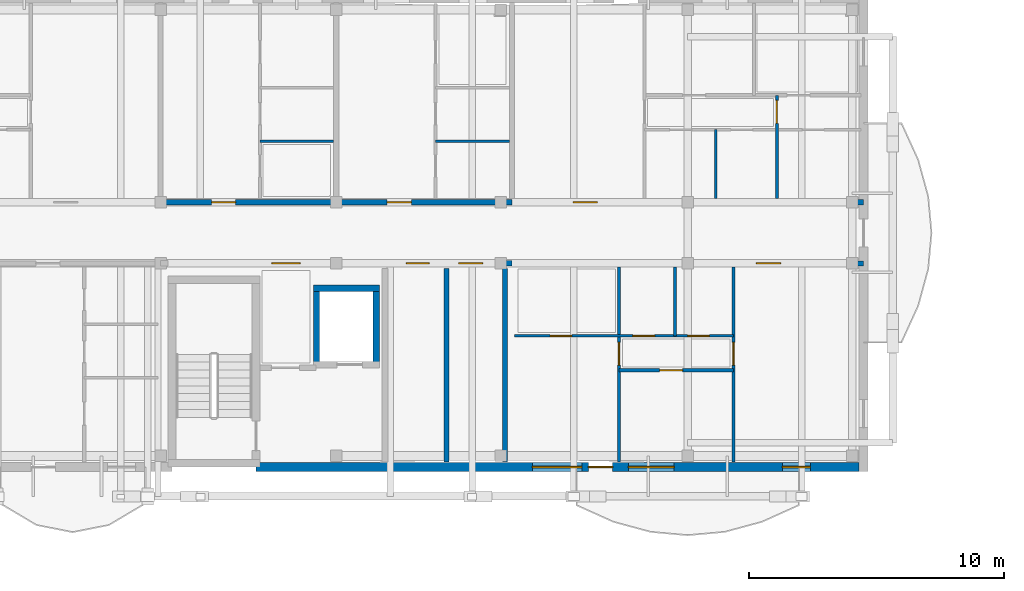
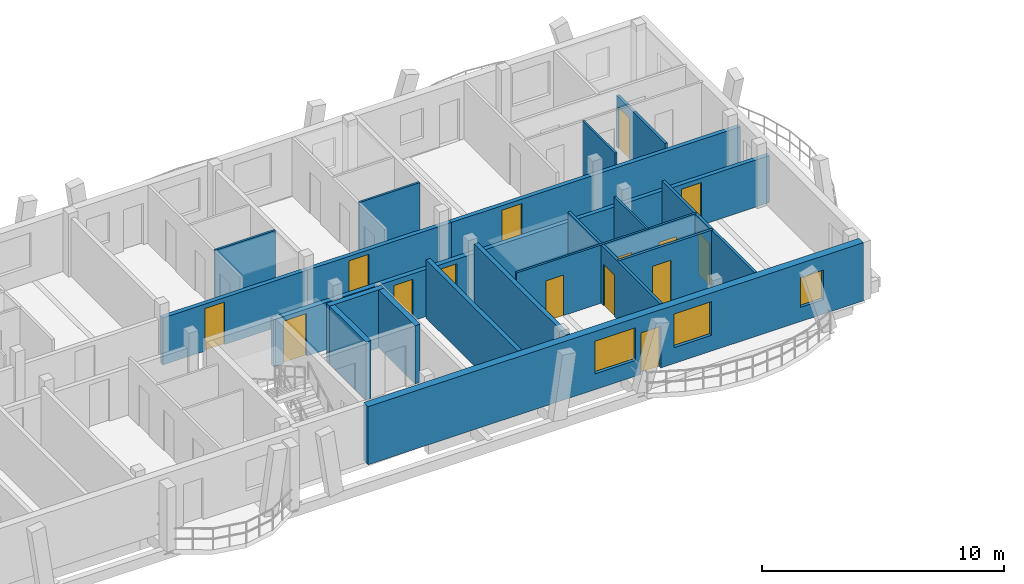
# One storey, part 27 of 52: 20 walls, 15 doors, 3 windows, 18 openings.
"""IFC4 building model written with IfcOpenShell, lengths in metres."""

import ifcopenshell
import ifcopenshell.guid

model = None  # the IFC model being written
_history = None  # IfcOwnerHistory: only IFC2X3 demands one
_inside = {}  # id of a spatial element -> (the spatial element, [elements in it])
_under = {}  # id of a project, library or spatial element -> (it, [spatial elements below it])
_declared = {}  # id of a project -> (the project, [libraries it declares])
_typed = {}  # id of a type object -> (the type object, [elements of that type])
_made_of = {}  # id of a material, layer set ... -> (it, [elements and type objects made of it])


def new_model(schema):
    """Start an empty IFC model of exactly this schema.

    Asked for "IFC4X3", IfcOpenShell would pick the latest addendum, in which some entities
    have other attributes; the version numbers below select the first issue.
    IFC2X3 requires an IfcOwnerHistory on every rooted entity: one is made here for all.
    """
    global model, _history
    if schema == "IFC4X3":
        model = ifcopenshell.file(schema_version=(4, 3, 0, 0))
    else:
        model = ifcopenshell.file(schema=schema)
    _inside.clear()
    _under.clear()
    _declared.clear()
    _typed.clear()
    _made_of.clear()
    _history = None
    if model.schema == "IFC2X3":
        org = make("IfcOrganization", Name="unknown")
        user = make(
            "IfcPersonAndOrganization",
            ThePerson=make("IfcPerson", FamilyName="unknown"),
            TheOrganization=org,
        )
        app = make(
            "IfcApplication",
            ApplicationDeveloper=org,
            Version="unknown",
            ApplicationFullName="unknown",
            ApplicationIdentifier="unknown",
        )
        _history = make(
            "IfcOwnerHistory",
            OwningUser=user,
            OwningApplication=app,
            ChangeAction="ADDED",
            CreationDate=0,
        )
    return model


def make(cls, **values):
    """One entity of the class cls with the attributes given. An attribute that is None is left unset."""
    return model.create_entity(
        cls, **{name: value for name, value in values.items() if value is not None}
    )


def rooted(cls, **values):
    """An entity with a GlobalId (a new one), such as an element, a storey or a relation."""
    return make(cls, GlobalId=ifcopenshell.guid.new(), OwnerHistory=_history, **values)


def si_unit(unit_type, name, prefix=None):
    """IfcSIUnit, for example si_unit("LENGTHUNIT", "METRE", prefix="MILLI")."""
    return make("IfcSIUnit", UnitType=unit_type, Prefix=prefix, Name=name)


def assignment(units):
    """IfcUnitAssignment: the units of a project."""
    return None if units is None else make("IfcUnitAssignment", Units=units)


def point(xyz):
    """IfcCartesianPoint."""
    return None if xyz is None else make("IfcCartesianPoint", Coordinates=xyz)


def direction(xyz):
    """IfcDirection."""
    return None if xyz is None else make("IfcDirection", DirectionRatios=xyz)


def frame(location, z_axis=None, x_axis=None):
    """IfcAxis2Placement3D, a coordinate frame: its origin and axes. An axis left out is left unset."""
    return make(
        "IfcAxis2Placement3D",
        Location=point(location),
        Axis=direction(z_axis),
        RefDirection=direction(x_axis),
    )


def frame_2d(location, x_axis=None):
    """IfcAxis2Placement2D, a coordinate frame in the plane: its origin and x axis."""
    return make(
        "IfcAxis2Placement2D", Location=point(location), RefDirection=direction(x_axis)
    )


def origin():
    """The frame at (0, 0, 0) with its axes left unset."""
    return frame((0.0, 0.0, 0.0))


def origin_with_axes():
    """The frame at (0, 0, 0) with the z axis (0, 0, 1) and the x axis (1, 0, 0) written out."""
    return frame((0.0, 0.0, 0.0), z_axis=(0.0, 0.0, 1.0), x_axis=(1.0, 0.0, 0.0))


def place(relative_to, where):
    """IfcLocalPlacement: puts the frame where relative to a parent placement (None: the world)."""
    return make(
        "IfcLocalPlacement", PlacementRelTo=relative_to, RelativePlacement=where
    )


def context(
    kind, dimensions, precision=None, world=None, true_north=None, identifier=None
):
    """IfcGeometricRepresentationContext, for example the 3D "Model" context."""
    return make(
        "IfcGeometricRepresentationContext",
        ContextIdentifier=identifier,
        ContextType=kind,
        CoordinateSpaceDimension=dimensions,
        Precision=precision,
        WorldCoordinateSystem=world,
        TrueNorth=true_north,
    )


def subcontext(parent, identifier, kind, view, scale=None):
    """IfcGeometricRepresentationSubContext, for example "Body" below "Model"."""
    return make(
        "IfcGeometricRepresentationSubContext",
        ContextIdentifier=identifier,
        ContextType=kind,
        ParentContext=parent,
        TargetScale=scale,
        TargetView=view,
    )


def project(units=None, contexts=None):
    """IfcProject with its units and contexts."""
    return rooted(
        "IfcProject",
        Name="project",
        RepresentationContexts=contexts,
        UnitsInContext=assignment(units),
    )


def spatial(cls, under=None, at=None, **own):
    """A site, building, storey or space (cls), placed at a placement, below another one or the project."""
    s = rooted(cls, ObjectPlacement=at, **own)
    if under is not None:
        _under.setdefault(under.id(), (under, []))[1].append(s)
    return s


def profile(cls, at=None, kind="AREA", **sizes):
    """A parametric profile (cls). Its sizes go by their IFC names, for example OverallWidth=200.0."""
    return make(cls, ProfileType=kind, Position=at, **sizes)


def rectangle(**sizes):
    """IfcRectangleProfileDef."""
    return profile("IfcRectangleProfileDef", **sizes)


def extrude(swept, where, along, depth):
    """IfcExtrudedAreaSolid: the profile swept, set in the frame where, extruded along a direction by depth."""
    return make(
        "IfcExtrudedAreaSolid",
        SweptArea=swept,
        Position=where,
        ExtrudedDirection=direction(along),
        Depth=depth,
    )


def shape(context_of_items, identifier, shape_type, items):
    """IfcShapeRepresentation: the items that make up one representation, for example the "Body"."""
    return make(
        "IfcShapeRepresentation",
        ContextOfItems=context_of_items,
        RepresentationIdentifier=identifier,
        RepresentationType=shape_type,
        Items=items,
    )


def material(Name=None, Category=None):
    """IfcMaterial."""
    return make("IfcMaterial", Name=Name, Category=Category)


def layer(
    of_material, thickness, ventilated=None, Name=None, Category=None, Priority=None
):
    """IfcMaterialLayer: one layer of a wall or slab, of a material (None: an air gap)."""
    return make(
        "IfcMaterialLayer",
        Material=of_material,
        LayerThickness=thickness,
        IsVentilated=ventilated,
        Name=Name,
        Category=Category,
        Priority=Priority,
    )


def layer_set(layers, Name=None):
    """IfcMaterialLayerSet."""
    return make("IfcMaterialLayerSet", MaterialLayers=layers, LayerSetName=Name)


def made_of(thing, what):
    """Note that an element or type object is made of a material, layer set ...; save() writes the relation."""
    if what is not None:
        _made_of.setdefault(what.id(), (what, []))[1].append(thing)
    return thing


def type_object(cls, material=None, **own):
    """A type object (cls), such as IfcWallType, which elements share."""
    return made_of(rooted(cls, **own), material)


def element(
    cls,
    number,
    at=None,
    inside=None,
    cuts=None,
    type_object=None,
    material=None,
    context=None,
    identifier="Body",
    shape_type=None,
    held_by="IfcProductDefinitionShape",
    body=None,
    shapes=None,
    **own,
):
    """One element of the class cls, such as IfcWall. Its Tag is "e" and its number.

    at: its placement. inside: the storey or other place that contains it. cuts: it is an
    opening in that element (IfcRelVoidsElement). A single representation is given by context,
    identifier, shape_type and body (its items); several are given by shapes. held_by: the class
    of the entity that holds the representations. save() writes the other relations.
    """
    e = rooted(cls, Tag="e%d" % number, ObjectPlacement=at, **own)
    if body is not None:
        shapes = [shape(context, identifier, shape_type, body)]
    if shapes is not None:
        e.Representation = make(held_by, Representations=shapes)
    if inside is not None:
        _inside.setdefault(inside.id(), (inside, []))[1].append(e)
    if cuts is not None:
        rooted(
            "IfcRelVoidsElement", RelatingBuildingElement=cuts, RelatedOpeningElement=e
        )
    if type_object is not None:
        _typed.setdefault(type_object.id(), (type_object, []))[1].append(e)
    return made_of(e, material)


def fill(opening, filler):
    """IfcRelFillsElement: the door or window that sits in an opening."""
    return rooted(
        "IfcRelFillsElement",
        RelatingOpeningElement=opening,
        RelatedBuildingElement=filler,
    )


def aggregate(whole, parts):
    """IfcRelAggregates: a whole, such as a stair, and the parts it consists of."""
    return rooted("IfcRelAggregates", RelatingObject=whole, RelatedObjects=parts)


def save(model, path):
    """Write the relations noted so far, then the file.

    IfcRelAggregates (storeys below a building ...), IfcRelContainedInSpatialStructure (elements
    in a storey), IfcRelDefinesByType, IfcRelAssociatesMaterial and IfcRelDeclares: one each for
    every whole, place, type object, material and project.
    """
    for whole, parts in _under.values():
        aggregate(whole, parts)
    for where, things in _inside.values():
        rooted(
            "IfcRelContainedInSpatialStructure",
            RelatedElements=things,
            RelatingStructure=where,
        )
    for kind, things in _typed.values():
        rooted("IfcRelDefinesByType", RelatedObjects=things, RelatingType=kind)
    for what, things in _made_of.values():
        rooted("IfcRelAssociatesMaterial", RelatedObjects=things, RelatingMaterial=what)
    for by, libraries in _declared.values():
        rooted("IfcRelDeclares", RelatingContext=by, RelatedDefinitions=libraries)
    model.write(path)


model = new_model("IFC4")

# Units and contexts
model_context = context("Model", 3, precision=1e-05, world=origin(), true_north=direction((0.0, 1.0)))
body_context = subcontext(model_context, "Body", "Model", "MODEL_VIEW")
ifc_project = project(units=[si_unit("LENGTHUNIT", "METRE"), si_unit("AREAUNIT", "SQUARE_METRE"), si_unit("VOLUMEUNIT", "CUBIC_METRE"), si_unit("PLANEANGLEUNIT", "RADIAN"), si_unit("MASSUNIT", "GRAM", prefix="KILO")], contexts=[model_context])

# Site, building, storey
site_placement = place(None, origin())
site = spatial("IfcSite", under=ifc_project, at=site_placement, CompositionType="ELEMENT")
building_placement = place(site_placement, origin())
building = spatial("IfcBuilding", under=site, at=building_placement, Name="Zavelmont Quarter", CompositionType="ELEMENT")
storey_placement = place(building_placement, frame((0.0, 0.0, 14.39990234375)))
storey = spatial("IfcBuildingStorey", under=building, at=storey_placement, Name="L04", CompositionType="ELEMENT", Elevation=14.39990234375)

# Wall, openings, door, windows
ifc_material_1 = material(Name="Natural Belgian limestone", Category="masonry")
ifc_layer_1 = layer(ifc_material_1, 0.360107421875)
ifc_layer_set_1 = layer_set([ifc_layer_1], Name="Natural Belgian limestone")
wall_type_1 = type_object("IfcWallType", Name="EW02", PredefinedType="STANDARD", material=ifc_layer_set_1)
wall_1_placement = place(storey_placement, frame((31.35009765625, 97.60009765625, 0.0), z_axis=(0.0, 0.0, 1.0), x_axis=(1.0, 0.0, 0.0)))
wall_1 = element("IfcWall", 1, at=wall_1_placement, inside=storey, type_object=wall_type_1, Name="L04 exterior limestone wall EW02", PredefinedType="STANDARD", context=body_context, shape_type="SweptSolid", body=[
    extrude(rectangle(XDim=23.679931640625, YDim=0.360107421875, at=frame_2d((11.83984375, 0.0))), origin(), (0.0, 0.0, 1.0), 2.940185546875),
])
opening_1_placement = place(wall_1_placement, frame((13.048095703125, 0.0, 0.0)))
opening_1 = element("IfcOpeningElement", 2, at=opening_1_placement, cuts=wall_1, Name="Opening DR04", PredefinedType="OPENING", context=body_context, shape_type="SweptSolid", body=[
    extrude(rectangle(XDim=0.949951171875, YDim=2.10009765625, at=frame_2d((0.47509765625, 1.050048828125))), frame((0.0, 0.19189453125, 0.0), z_axis=(0.0, -1.0, 0.0), x_axis=(1.0, 0.0, 0.0)), (0.0, 0.0, 1.0), 0.384033203125),
])
opening_2_placement = place(wall_1_placement, frame((10.844970703125, 0.0, 0.800048828125)))
opening_2 = element("IfcOpeningElement", 3, at=opening_2_placement, cuts=wall_1, Name="Opening WN24", PredefinedType="OPENING", context=body_context, shape_type="SweptSolid", body=[
    extrude(rectangle(XDim=1.949951171875, YDim=1.64990234375, at=frame_2d((0.97509765625, 0.824951171875))), frame((0.0, 0.19189453125, 0.0), z_axis=(0.0, -1.0, 0.0), x_axis=(1.0, 0.0, 0.0)), (0.0, 0.0, 1.0), 0.384033203125),
])
opening_3_placement = place(wall_1_placement, frame((14.6201171875, 0.0, 0.800048828125)))
opening_3 = element("IfcOpeningElement", 4, at=opening_3_placement, cuts=wall_1, Name="Opening WN02", PredefinedType="OPENING", context=body_context, shape_type="SweptSolid", body=[
    extrude(rectangle(XDim=1.800048828125, YDim=1.699951171875, at=frame_2d((0.89990234375, 0.85009765625))), frame((0.0, 0.19189453125, 0.0), z_axis=(0.0, -1.0, 0.0), x_axis=(1.0, 0.0, 0.0)), (0.0, 0.0, 1.0), 0.384033203125),
])
opening_4_placement = place(wall_1_placement, frame((20.669921875, 0.0, 0.719970703125)))
opening_4 = element("IfcOpeningElement", 5, at=opening_4_placement, cuts=wall_1, Name="Opening WN09", PredefinedType="OPENING", context=body_context, shape_type="SweptSolid", body=[
    extrude(rectangle(XDim=1.10009765625, YDim=1.5, at=frame_2d((0.550048828125, 0.75))), frame((0.0, 0.19189453125, 0.0), z_axis=(0.0, -1.0, 0.0), x_axis=(1.0, 0.0, 0.0)), (0.0, 0.0, 1.0), 0.384033203125),
])
ifc_material_2 = material(Name="Thermally broken aluminium and double safety glass", Category="aluminium")
door_type_1 = type_object("IfcDoorType", Name="DR04", OperationType="NOTDEFINED", PredefinedType="DOOR", material=ifc_material_2)
door_1_placement = place(opening_1_placement, origin_with_axes())
door_1 = element("IfcDoor", 6, at=door_1_placement, inside=storey, type_object=door_type_1, Name="Block B L04 glazed balcony door", OperationType="SINGLE_SWING_RIGHT", OverallHeight=2.10009765625, OverallWidth=0.949951171875, PredefinedType="DOOR", context=body_context, shape_type="SweptSolid", body=[
    extrude(rectangle(XDim=0.949951171875, YDim=2.10009765625, at=frame_2d((0.47509765625, 1.050048828125))), frame((0.0, 0.02490234375, 0.0), z_axis=(0.0, -1.0, 0.0), x_axis=(1.0, 0.0, 0.0)), (0.0, 0.0, 1.0), 0.050048828125),
])
fill(opening_1, door_1)
ifc_material_3 = material(Name="Double low-E insulated glazing in thermally broken aluminium frame", Category="aluminium")
window_type_1 = type_object("IfcWindowType", Name="WN02", PartitioningType="SINGLE_PANEL", PredefinedType="WINDOW", material=ifc_material_3)
window_1_placement = place(opening_3_placement, origin_with_axes())
window_1 = element("IfcWindow", 7, at=window_1_placement, inside=storey, type_object=window_type_1, Name="L04 window WN02", OverallHeight=1.699951171875, OverallWidth=1.800048828125, PartitioningType="SINGLE_PANEL", PredefinedType="WINDOW", context=body_context, shape_type="SweptSolid", body=[
    extrude(rectangle(XDim=1.800048828125, YDim=1.699951171875, at=frame_2d((0.89990234375, 0.85009765625))), frame((0.0, 0.030029296875, 0.0), z_axis=(0.0, -1.0, 0.0), x_axis=(1.0, 0.0, 0.0)), (0.0, 0.0, 1.0), 0.06005859375),
])
fill(opening_3, window_1)
window_type_2 = type_object("IfcWindowType", Name="WN09", PartitioningType="SINGLE_PANEL", PredefinedType="WINDOW", material=ifc_material_3)
window_2_placement = place(opening_4_placement, origin_with_axes())
window_2 = element("IfcWindow", 8, at=window_2_placement, inside=storey, type_object=window_type_2, Name="L04 window WN09", OverallHeight=1.5, OverallWidth=1.10009765625, PartitioningType="SINGLE_PANEL", PredefinedType="WINDOW", context=body_context, shape_type="SweptSolid", body=[
    extrude(rectangle(XDim=1.10009765625, YDim=1.5, at=frame_2d((0.550048828125, 0.75))), frame((0.0, 0.030029296875, 0.0), z_axis=(0.0, -1.0, 0.0), x_axis=(1.0, 0.0, 0.0)), (0.0, 0.0, 1.0), 0.06005859375),
])
fill(opening_4, window_2)
window_type_3 = type_object("IfcWindowType", Name="WN24", PartitioningType="SINGLE_PANEL", PredefinedType="WINDOW", material=ifc_material_3)
window_3_placement = place(opening_2_placement, origin_with_axes())
window_3 = element("IfcWindow", 9, at=window_3_placement, inside=storey, type_object=window_type_3, Name="L04 window WN24", OverallHeight=1.64990234375, OverallWidth=1.949951171875, PartitioningType="SINGLE_PANEL", PredefinedType="WINDOW", context=body_context, shape_type="SweptSolid", body=[
    extrude(rectangle(XDim=1.949951171875, YDim=1.64990234375, at=frame_2d((0.97509765625, 0.824951171875))), frame((0.0, 0.030029296875, 0.0), z_axis=(0.0, -1.0, 0.0), x_axis=(1.0, 0.0, 0.0)), (0.0, 0.0, 1.0), 0.06005859375),
])
fill(opening_2, window_3)

# Walls
ifc_material_4 = material(Name="Calcium-silicate blockwork and acoustic plaster", Category="masonry")
ifc_layer_2 = layer(ifc_material_4, 0.199951171875)
ifc_layer_set_2 = layer_set([ifc_layer_2], Name="Calcium-silicate blockwork and acoustic plaster")
wall_type_2 = type_object("IfcWallType", Name="IW01", PredefinedType="PARTITIONING", material=ifc_layer_set_2)
for number, where, z_axis, x_axis, name in (
    (10, (38.824951171875, 97.800048828125, 0.0), (0.0, 0.0, 1.0), (0.0, 1.0, 0.0), "L04 Service riser divider wall IW01"),
    (11, (41.1201171875, 97.800048828125, 0.0), (0.0, 0.0, 1.0), (0.0, 1.0, 0.0), "L04 Core service end wall IW01"),
):
    element("IfcWall", number, at=place(storey_placement, frame(where, z_axis=z_axis, x_axis=x_axis)), inside=storey, type_object=wall_type_2, Name=name, PredefinedType="PARTITIONING", context=body_context, shape_type="SweptSolid", body=[
        extrude(rectangle(XDim=7.599853515625, YDim=0.199951171875, at=frame_2d((3.7998046875, 0.0))), origin(), (0.0, 0.0, 1.0), 2.940185546875),
    ])

# Wall, opening, door
wall_2_placement = place(storey_placement, frame((27.60009765625, 108.0, 0.0), z_axis=(0.0, 0.0, 1.0), x_axis=(1.0, 0.0, 0.0)))
wall_2 = element("IfcWall", 12, at=wall_2_placement, inside=storey, type_object=wall_type_2, Name="L04 Corridor compartment wall IW01", PredefinedType="PARTITIONING", context=body_context, shape_type="SweptSolid", body=[
    extrude(rectangle(XDim=6.89990234375, YDim=0.199951171875, at=frame_2d((3.449951171875, 0.0))), origin(), (0.0, 0.0, 1.0), 2.380126953125),
])
opening_5_placement = place(wall_2_placement, frame((2.0, 0.0, 0.0)))
opening_5 = element("IfcOpeningElement", 13, at=opening_5_placement, cuts=wall_2, Name="Opening DR02", PredefinedType="OPENING", context=body_context, shape_type="SweptSolid", body=[
    extrude(rectangle(XDim=0.949951171875, YDim=2.14990234375, at=frame_2d((0.47509765625, 1.074951171875))), frame((0.0, 0.11181640625, 0.0), z_axis=(0.0, -1.0, 0.0), x_axis=(1.0, 0.0, 0.0)), (0.0, 0.0, 1.0), 0.223876953125),
])
ifc_material_5 = material(Name="Solid-core oak fire leaf in steel frame", Category="steel")
door_type_2 = type_object("IfcDoorType", Name="DR02", OperationType="NOTDEFINED", PredefinedType="DOOR", material=ifc_material_5)
door_2_placement = place(opening_5_placement, origin_with_axes())
door_2 = element("IfcDoor", 14, at=door_2_placement, inside=storey, type_object=door_type_2, Name="L04 door DR02", OperationType="SINGLE_SWING_RIGHT", OverallHeight=2.14990234375, OverallWidth=0.949951171875, PredefinedType="DOOR", context=body_context, shape_type="SweptSolid", body=[
    extrude(rectangle(XDim=0.949951171875, YDim=2.14990234375, at=frame_2d((0.47509765625, 1.074951171875))), frame((0.0, 0.02490234375, 0.0), z_axis=(0.0, -1.0, 0.0), x_axis=(1.0, 0.0, 0.0)), (0.0, 0.0, 1.0), 0.050048828125),
])
fill(opening_5, door_2)

wall_3_placement = place(storey_placement, frame((34.5, 108.0, 0.0), z_axis=(0.0, 0.0, 1.0), x_axis=(1.0, 0.0, 0.0)))
wall_3 = element("IfcWall", 15, at=wall_3_placement, inside=storey, type_object=wall_type_2, Name="L04 Corridor compartment wall IW01", PredefinedType="PARTITIONING", context=body_context, shape_type="SweptSolid", body=[
    extrude(rectangle(XDim=6.89990234375, YDim=0.199951171875, at=frame_2d((3.449951171875, 0.0))), origin(), (0.0, 0.0, 1.0), 2.380126953125),
])
opening_6_placement = place(wall_3_placement, frame((2.0, 0.0, 0.0)))
opening_6 = element("IfcOpeningElement", 16, at=opening_6_placement, cuts=wall_3, Name="Opening DR02", PredefinedType="OPENING", context=body_context, shape_type="SweptSolid", body=[
    extrude(rectangle(XDim=0.949951171875, YDim=2.14990234375, at=frame_2d((0.47509765625, 1.074951171875))), frame((0.0, 0.11181640625, 0.0), z_axis=(0.0, -1.0, 0.0), x_axis=(1.0, 0.0, 0.0)), (0.0, 0.0, 1.0), 0.223876953125),
])
door_3_placement = place(opening_6_placement, origin_with_axes())
door_3 = element("IfcDoor", 17, at=door_3_placement, inside=storey, type_object=door_type_2, Name="L04 door DR02", OperationType="SINGLE_SWING_LEFT", OverallHeight=2.14990234375, OverallWidth=0.949951171875, PredefinedType="DOOR", context=body_context, shape_type="SweptSolid", body=[
    extrude(rectangle(XDim=0.949951171875, YDim=2.14990234375, at=frame_2d((0.47509765625, 1.074951171875))), frame((0.0, 0.02490234375, 0.0), z_axis=(0.0, -1.0, 0.0), x_axis=(1.0, 0.0, 0.0)), (0.0, 0.0, 1.0), 0.050048828125),
])
fill(opening_6, door_3)

wall_4_placement = place(storey_placement, frame((41.39990234375, 108.0, 0.0), z_axis=(0.0, 0.0, 1.0), x_axis=(1.0, 0.0, 0.0)))
wall_4 = element("IfcWall", 18, at=wall_4_placement, inside=storey, type_object=wall_type_2, Name="L04 Corridor compartment wall IW01", PredefinedType="PARTITIONING", context=body_context, shape_type="SweptSolid", body=[
    extrude(rectangle(XDim=13.800048828125, YDim=0.199951171875, at=frame_2d((6.89990234375, 0.0))), origin(), (0.0, 0.0, 1.0), 2.380126953125),
])
opening_7_placement = place(wall_4_placement, frame((2.39990234375, 0.0, 0.0)))
opening_7 = element("IfcOpeningElement", 19, at=opening_7_placement, cuts=wall_4, Name="Opening DR02", PredefinedType="OPENING", context=body_context, shape_type="SweptSolid", body=[
    extrude(rectangle(XDim=0.949951171875, YDim=2.14990234375, at=frame_2d((0.47509765625, 1.074951171875))), frame((0.0, 0.11181640625, 0.0), z_axis=(0.0, -1.0, 0.0), x_axis=(1.0, 0.0, 0.0)), (0.0, 0.0, 1.0), 0.223876953125),
])
door_4_placement = place(opening_7_placement, origin_with_axes())
door_4 = element("IfcDoor", 20, at=door_4_placement, inside=storey, type_object=door_type_2, Name="L04 door DR02", OperationType="SINGLE_SWING_RIGHT", OverallHeight=2.14990234375, OverallWidth=0.949951171875, PredefinedType="DOOR", context=body_context, shape_type="SweptSolid", body=[
    extrude(rectangle(XDim=0.949951171875, YDim=2.14990234375, at=frame_2d((0.47509765625, 1.074951171875))), frame((0.0, 0.02490234375, 0.0), z_axis=(0.0, -1.0, 0.0), x_axis=(1.0, 0.0, 0.0)), (0.0, 0.0, 1.0), 0.050048828125),
])
fill(opening_7, door_4)

wall_5_placement = place(storey_placement, frame((41.39990234375, 105.60009765625, 0.0), z_axis=(0.0, 0.0, 1.0), x_axis=(1.0, 0.0, 0.0)))
wall_5 = element("IfcWall", 21, at=wall_5_placement, inside=storey, type_object=wall_type_2, Name="L04 Corridor compartment wall IW01", PredefinedType="PARTITIONING", context=body_context, shape_type="SweptSolid", body=[
    extrude(rectangle(XDim=13.800048828125, YDim=0.199951171875, at=frame_2d((6.89990234375, 0.0))), origin(), (0.0, 0.0, 1.0), 2.380126953125),
])
opening_8_placement = place(wall_5_placement, frame((9.60009765625, 0.0, 0.0)))
opening_8 = element("IfcOpeningElement", 22, at=opening_8_placement, cuts=wall_5, Name="Opening DR02", PredefinedType="OPENING", context=body_context, shape_type="SweptSolid", body=[
    extrude(rectangle(XDim=0.949951171875, YDim=2.14990234375, at=frame_2d((0.47509765625, 1.074951171875))), frame((0.0, 0.11181640625, 0.0), z_axis=(0.0, -1.0, 0.0), x_axis=(1.0, 0.0, 0.0)), (0.0, 0.0, 1.0), 0.223876953125),
])
door_5_placement = place(opening_8_placement, frame((0.949951171875, 0.0, 0.0), z_axis=(0.0, 0.0, 1.0), x_axis=(-1.0, 0.0, 0.0)))
door_5 = element("IfcDoor", 23, at=door_5_placement, inside=storey, type_object=door_type_2, Name="L04 door DR02", OperationType="SINGLE_SWING_RIGHT", OverallHeight=2.14990234375, OverallWidth=0.949951171875, PredefinedType="DOOR", context=body_context, shape_type="SweptSolid", body=[
    extrude(rectangle(XDim=0.949951171875, YDim=2.14990234375, at=frame_2d((0.47509765625, 1.074951171875))), frame((0.0, 0.02490234375, 0.0), z_axis=(0.0, -1.0, 0.0), x_axis=(1.0, 0.0, 0.0)), (0.0, 0.0, 1.0), 0.050048828125),
])
fill(opening_8, door_5)

# Wall, openings, doors
ifc_material_6 = material(Name="Reinforced masonry fire compartment wall", Category="masonry")
ifc_layer_3 = layer(ifc_material_6, 0.22509765625)
ifc_layer_set_3 = layer_set([ifc_layer_3], Name="Reinforced masonry fire compartment wall")
wall_type_3 = type_object("IfcWallType", Name="IW02", PredefinedType="PARTITIONING", material=ifc_layer_set_3)
wall_6_placement = place(storey_placement, frame((31.5, 105.60009765625, 0.0), z_axis=(0.0, 0.0, 1.0), x_axis=(1.0, 0.0, 0.0)))
wall_6 = element("IfcWall", 24, at=wall_6_placement, inside=storey, type_object=wall_type_3, Name="L04 Core corridor fire wall IW02", PredefinedType="PARTITIONING", context=body_context, shape_type="SweptSolid", body=[
    extrude(rectangle(XDim=9.89990234375, YDim=0.22509765625, at=frame_2d((4.949951171875, 0.0))), origin(), (0.0, 0.0, 1.0), 2.380126953125),
])
opening_9_placement = place(wall_6_placement, frame((0.47509765625, 0.0, 0.0)))
opening_9 = element("IfcOpeningElement", 25, at=opening_9_placement, cuts=wall_6, Name="Opening DR10", PredefinedType="OPENING", context=body_context, shape_type="SweptSolid", body=[
    extrude(rectangle(XDim=1.10009765625, YDim=2.14990234375, at=frame_2d((0.550048828125, 1.074951171875))), frame((0.0, 0.12451171875, 0.0), z_axis=(0.0, -1.0, 0.0), x_axis=(1.0, 0.0, 0.0)), (0.0, 0.0, 1.0), 0.2490234375),
])
opening_10_placement = place(wall_6_placement, frame((5.75, 0.0, 0.0)))
opening_10 = element("IfcOpeningElement", 26, at=opening_10_placement, cuts=wall_6, Name="Opening DR11", PredefinedType="OPENING", context=body_context, shape_type="SweptSolid", body=[
    extrude(rectangle(XDim=0.89990234375, YDim=2.10009765625, at=frame_2d((0.449951171875, 1.050048828125))), frame((0.0, 0.12451171875, 0.0), z_axis=(0.0, -1.0, 0.0), x_axis=(1.0, 0.0, 0.0)), (0.0, 0.0, 1.0), 0.2490234375),
])
opening_11_placement = place(wall_6_placement, frame((7.800048828125, 0.0, 0.0)))
opening_11 = element("IfcOpeningElement", 27, at=opening_11_placement, cuts=wall_6, Name="Opening DR02", PredefinedType="OPENING", context=body_context, shape_type="SweptSolid", body=[
    extrude(rectangle(XDim=0.949951171875, YDim=2.14990234375, at=frame_2d((0.47509765625, 1.074951171875))), frame((0.0, 0.12451171875, 0.0), z_axis=(0.0, -1.0, 0.0), x_axis=(1.0, 0.0, 0.0)), (0.0, 0.0, 1.0), 0.2490234375),
])
door_6_placement = place(opening_11_placement, origin_with_axes())
door_6 = element("IfcDoor", 28, at=door_6_placement, inside=storey, type_object=door_type_2, Name="Auxiliary store corridor door", OperationType="SINGLE_SWING_RIGHT", OverallHeight=2.14990234375, OverallWidth=0.949951171875, PredefinedType="DOOR", context=body_context, shape_type="SweptSolid", body=[
    extrude(rectangle(XDim=0.949951171875, YDim=2.14990234375, at=frame_2d((0.47509765625, 1.074951171875))), frame((0.0, 0.02490234375, 0.0), z_axis=(0.0, -1.0, 0.0), x_axis=(1.0, 0.0, 0.0)), (0.0, 0.0, 1.0), 0.050048828125),
])
fill(opening_11, door_6)
ifc_material_7 = material(Name="Painted steel lobby fire door", Category="steel")
door_type_3 = type_object("IfcDoorType", Name="DR10", OperationType="NOTDEFINED", PredefinedType="DOOR", material=ifc_material_7)
door_7_placement = place(opening_9_placement, frame((1.10009765625, 0.0, 0.0), z_axis=(0.0, 0.0, 1.0), x_axis=(-1.0, 0.0, 0.0)))
door_7 = element("IfcDoor", 29, at=door_7_placement, inside=storey, type_object=door_type_3, Name="Core vestibule fire door", OperationType="SINGLE_SWING_RIGHT", OverallHeight=2.14990234375, OverallWidth=1.10009765625, PredefinedType="DOOR", context=body_context, shape_type="SweptSolid", body=[
    extrude(rectangle(XDim=1.10009765625, YDim=2.14990234375, at=frame_2d((0.550048828125, 1.074951171875))), frame((0.0, 0.02490234375, 0.0), z_axis=(0.0, -1.0, 0.0), x_axis=(1.0, 0.0, 0.0)), (0.0, 0.0, 1.0), 0.050048828125),
])
fill(opening_9, door_7)
ifc_material_8 = material(Name="Painted steel service-riser fire door", Category="steel")
door_type_4 = type_object("IfcDoorType", Name="DR11", OperationType="NOTDEFINED", PredefinedType="DOOR", material=ifc_material_8)
door_8_placement = place(opening_10_placement, origin_with_axes())
door_8 = element("IfcDoor", 30, at=door_8_placement, inside=storey, type_object=door_type_4, Name="Service riser fire door", OperationType="SINGLE_SWING_LEFT", OverallHeight=2.10009765625, OverallWidth=0.89990234375, PredefinedType="DOOR", context=body_context, shape_type="SweptSolid", body=[
    extrude(rectangle(XDim=0.89990234375, YDim=2.10009765625, at=frame_2d((0.449951171875, 1.050048828125))), frame((0.0, 0.02490234375, 0.0), z_axis=(0.0, -1.0, 0.0), x_axis=(1.0, 0.0, 0.0)), (0.0, 0.0, 1.0), 0.050048828125),
])
fill(opening_10, door_8)

# Wall, opening, door
ifc_material_9 = material(Name="Double gypsum board on acoustic steel stud", Category="steel")
ifc_layer_4 = layer(ifc_material_9, 0.125)
ifc_layer_set_4 = layer_set([ifc_layer_4], Name="Double gypsum board on acoustic steel stud")
wall_type_4 = type_object("IfcWallType", Name="IW03", PredefinedType="PARTITIONING", material=ifc_layer_set_4)
wall_7_placement = place(storey_placement, frame((51.800048828125, 108.14990234375, 0.0), z_axis=(0.0, 0.0, 1.0), x_axis=(0.0, 1.0, 0.0)))
wall_7 = element("IfcWall", 31, at=wall_7_placement, inside=storey, type_object=wall_type_4, Name="L04 Partition IW03", PredefinedType="PARTITIONING", context=body_context, shape_type="SweptSolid", body=[
    extrude(rectangle(XDim=4.050048828125, YDim=0.125, at=frame_2d((2.02490234375, 0.0))), origin(), (0.0, 0.0, 1.0), 2.590087890625),
])
opening_12_placement = place(wall_7_placement, frame((2.949951171875, 0.0, 0.0)))
opening_12 = element("IfcOpeningElement", 32, at=opening_12_placement, cuts=wall_7, Name="Opening DR05", PredefinedType="OPENING", context=body_context, shape_type="SweptSolid", body=[
    extrude(rectangle(XDim=0.89990234375, YDim=2.10009765625, at=frame_2d((0.449951171875, 1.050048828125))), frame((0.0, 0.074462890625, 0.0), z_axis=(0.0, -1.0, 0.0), x_axis=(1.0, 0.0, 0.0)), (0.0, 0.0, 1.0), 0.14892578125),
])
ifc_material_10 = material(Name="Engineered oak flush interior door")
door_type_5 = type_object("IfcDoorType", Name="DR05", OperationType="NOTDEFINED", PredefinedType="DOOR", material=ifc_material_10)
door_9_placement = place(opening_12_placement, frame((0.89990234375, 0.0, 0.0), z_axis=(0.0, 0.0, 1.0), x_axis=(-1.0, 0.0, 0.0)))
door_9 = element("IfcDoor", 33, at=door_9_placement, inside=storey, type_object=door_type_5, Name="L04 door DR05", OperationType="SINGLE_SWING_LEFT", OverallHeight=2.10009765625, OverallWidth=0.89990234375, PredefinedType="DOOR", context=body_context, shape_type="SweptSolid", body=[
    extrude(rectangle(XDim=0.89990234375, YDim=2.10009765625, at=frame_2d((0.449951171875, 1.050048828125))), frame((0.0, 0.02490234375, 0.0), z_axis=(0.0, -1.0, 0.0), x_axis=(1.0, 0.0, 0.0)), (0.0, 0.0, 1.0), 0.050048828125),
])
fill(opening_12, door_9)

wall_8_placement = place(storey_placement, frame((50.10009765625, 105.449951171875, 0.0), z_axis=(0.0, 0.0, 1.0), x_axis=(0.0, -1.0, 0.0)))
wall_8 = element("IfcWall", 34, at=wall_8_placement, inside=storey, type_object=wall_type_4, Name="L04 Partition IW03", PredefinedType="PARTITIONING", context=body_context, shape_type="SweptSolid", body=[
    extrude(rectangle(XDim=7.64990234375, YDim=0.125, at=frame_2d((3.824951171875, 0.0))), origin(), (0.0, 0.0, 1.0), 2.940185546875),
])
opening_13_placement = place(wall_8_placement, frame((2.949951171875, 0.0, 0.0)))
opening_13 = element("IfcOpeningElement", 35, at=opening_13_placement, cuts=wall_8, Name="Opening DR05", PredefinedType="OPENING", context=body_context, shape_type="SweptSolid", body=[
    extrude(rectangle(XDim=0.89990234375, YDim=2.10009765625, at=frame_2d((0.449951171875, 1.050048828125))), frame((0.0, 0.074462890625, 0.0), z_axis=(0.0, -1.0, 0.0), x_axis=(1.0, 0.0, 0.0)), (0.0, 0.0, 1.0), 0.14892578125),
])
door_10_placement = place(opening_13_placement, origin_with_axes())
door_10 = element("IfcDoor", 36, at=door_10_placement, inside=storey, type_object=door_type_5, Name="L04 door DR05", OperationType="SINGLE_SWING_RIGHT", OverallHeight=2.10009765625, OverallWidth=0.89990234375, PredefinedType="DOOR", context=body_context, shape_type="SweptSolid", body=[
    extrude(rectangle(XDim=0.89990234375, YDim=2.10009765625, at=frame_2d((0.449951171875, 1.050048828125))), frame((0.0, 0.02490234375, 0.0), z_axis=(0.0, -1.0, 0.0), x_axis=(1.0, 0.0, 0.0)), (0.0, 0.0, 1.0), 0.050048828125),
])
fill(opening_13, door_10)

wall_9_placement = place(storey_placement, frame((45.60009765625, 105.449951171875, 0.0), z_axis=(0.0, 0.0, 1.0), x_axis=(0.0, -1.0, 0.0)))
wall_9 = element("IfcWall", 37, at=wall_9_placement, inside=storey, type_object=wall_type_4, Name="L04 Partition IW03", PredefinedType="PARTITIONING", context=body_context, shape_type="SweptSolid", body=[
    extrude(rectangle(XDim=7.64990234375, YDim=0.125, at=frame_2d((3.824951171875, 0.0))), origin(), (0.0, 0.0, 1.0), 2.940185546875),
])
opening_14_placement = place(wall_9_placement, frame((2.949951171875, 0.0, 0.0)))
opening_14 = element("IfcOpeningElement", 38, at=opening_14_placement, cuts=wall_9, Name="Opening DR05", PredefinedType="OPENING", context=body_context, shape_type="SweptSolid", body=[
    extrude(rectangle(XDim=0.89990234375, YDim=2.10009765625, at=frame_2d((0.449951171875, 1.050048828125))), frame((0.0, 0.074462890625, 0.0), z_axis=(0.0, -1.0, 0.0), x_axis=(1.0, 0.0, 0.0)), (0.0, 0.0, 1.0), 0.14892578125),
])
door_11_placement = place(opening_14_placement, frame((0.89990234375, 0.0, 0.0), z_axis=(0.0, 0.0, 1.0), x_axis=(-1.0, 0.0, 0.0)))
door_11 = element("IfcDoor", 39, at=door_11_placement, inside=storey, type_object=door_type_5, Name="L04 door DR05", OperationType="SINGLE_SWING_LEFT", OverallHeight=2.10009765625, OverallWidth=0.89990234375, PredefinedType="DOOR", context=body_context, shape_type="SweptSolid", body=[
    extrude(rectangle(XDim=0.89990234375, YDim=2.10009765625, at=frame_2d((0.449951171875, 1.050048828125))), frame((0.0, 0.02490234375, 0.0), z_axis=(0.0, -1.0, 0.0), x_axis=(1.0, 0.0, 0.0)), (0.0, 0.0, 1.0), 0.050048828125),
])
fill(opening_14, door_11)

wall_10_placement = place(storey_placement, frame((45.60009765625, 101.39990234375, 0.0), z_axis=(0.0, 0.0, 1.0), x_axis=(1.0, 0.0, 0.0)))
wall_10 = element("IfcWall", 40, at=wall_10_placement, inside=storey, type_object=wall_type_4, Name="L04 Partition IW03", PredefinedType="PARTITIONING", context=body_context, shape_type="SweptSolid", body=[
    extrude(rectangle(XDim=4.5, YDim=0.125, at=frame_2d((2.25, 0.0))), origin(), (0.0, 0.0, 1.0), 2.940185546875),
])
opening_15_placement = place(wall_10_placement, frame((1.60009765625, 0.0, 0.0)))
opening_15 = element("IfcOpeningElement", 41, at=opening_15_placement, cuts=wall_10, Name="Opening DR05", PredefinedType="OPENING", context=body_context, shape_type="SweptSolid", body=[
    extrude(rectangle(XDim=0.89990234375, YDim=2.10009765625, at=frame_2d((0.449951171875, 1.050048828125))), frame((0.0, 0.074462890625, 0.0), z_axis=(0.0, -1.0, 0.0), x_axis=(1.0, 0.0, 0.0)), (0.0, 0.0, 1.0), 0.14892578125),
])
door_12_placement = place(opening_15_placement, frame((0.89990234375, 0.0, 0.0), z_axis=(0.0, 0.0, 1.0), x_axis=(-1.0, 0.0, 0.0)))
door_12 = element("IfcDoor", 42, at=door_12_placement, inside=storey, type_object=door_type_5, Name="L04 door DR05", OperationType="SINGLE_SWING_LEFT", OverallHeight=2.10009765625, OverallWidth=0.89990234375, PredefinedType="DOOR", context=body_context, shape_type="SweptSolid", body=[
    extrude(rectangle(XDim=0.89990234375, YDim=2.10009765625, at=frame_2d((0.449951171875, 1.050048828125))), frame((0.0, 0.02490234375, 0.0), z_axis=(0.0, -1.0, 0.0), x_axis=(1.0, 0.0, 0.0)), (0.0, 0.0, 1.0), 0.050048828125),
])
fill(opening_15, door_12)

# Walls
ifc_material_11 = material(Name="Moisture-resistant gypsum board on steel stud", Category="steel")
ifc_layer_5 = layer(ifc_material_11, 0.10009765625)
ifc_layer_set_5 = layer_set([ifc_layer_5], Name="Moisture-resistant gypsum board on steel stud")
wall_type_5 = type_object("IfcWallType", Name="IW04", PredefinedType="PARTITIONING", material=ifc_layer_set_5)
wall_11_placement = place(storey_placement, frame((31.5, 110.39990234375, 0.0), z_axis=(0.0, 0.0, 1.0), x_axis=(1.0, 0.0, 0.0)))
element("IfcWall", 43, at=wall_11_placement, inside=storey, type_object=wall_type_5, Name="L04 Partition IW04", PredefinedType="PARTITIONING", context=body_context, shape_type="SweptSolid", body=[
    extrude(rectangle(XDim=2.89990234375, YDim=0.10009765625, at=frame_2d((1.449951171875, 0.0))), origin(), (0.0, 0.0, 1.0), 2.940185546875),
])
wall_12_placement = place(storey_placement, frame((38.39990234375, 110.39990234375, 0.0), z_axis=(0.0, 0.0, 1.0), x_axis=(1.0, 0.0, 0.0)))
element("IfcWall", 44, at=wall_12_placement, inside=storey, type_object=wall_type_5, Name="L04 Partition IW04", PredefinedType="PARTITIONING", context=body_context, shape_type="SweptSolid", body=[
    extrude(rectangle(XDim=2.900146484375, YDim=0.10009765625, at=frame_2d((1.4501953125, 0.0))), origin(), (0.0, 0.0, 1.0), 2.940185546875),
])
wall_13_placement = place(storey_placement, frame((49.39990234375, 108.14990234375, 0.0), z_axis=(0.0, 0.0, 1.0), x_axis=(0.0, 1.0, 0.0)))
element("IfcWall", 45, at=wall_13_placement, inside=storey, type_object=wall_type_5, Name="L04 Partition IW04", PredefinedType="PARTITIONING", context=body_context, shape_type="SweptSolid", body=[
    extrude(rectangle(XDim=2.7001953125, YDim=0.10009765625, at=frame_2d((1.35009765625, 0.0))), origin(), (0.0, 0.0, 1.0), 2.940185546875),
])
wall_14_placement = place(storey_placement, frame((47.800048828125, 105.449951171875, 0.0), z_axis=(0.0, 0.0, 1.0), x_axis=(0.0, -1.0, 0.0)))
element("IfcWall", 46, at=wall_14_placement, inside=storey, type_object=wall_type_5, Name="L04 Partition IW04", PredefinedType="PARTITIONING", context=body_context, shape_type="SweptSolid", body=[
    extrude(rectangle(XDim=2.699951171875, YDim=0.10009765625, at=frame_2d((1.35009765625, 0.0))), origin(), (0.0, 0.0, 1.0), 2.940185546875),
])

# Wall, openings, doors
wall_15_placement = place(storey_placement, frame((41.5, 102.75, 0.0), z_axis=(0.0, 0.0, 1.0), x_axis=(1.0, 0.0, 0.0)))
wall_15 = element("IfcWall", 47, at=wall_15_placement, inside=storey, type_object=wall_type_5, Name="L04 Partition IW04", PredefinedType="PARTITIONING", context=body_context, shape_type="SweptSolid", body=[
    extrude(rectangle(XDim=8.60009765625, YDim=0.10009765625, at=frame_2d((4.300048828125, 0.0))), origin(), (0.0, 0.0, 1.0), 2.940185546875),
])
opening_16_placement = place(wall_15_placement, frame((1.39990234375, 0.0, 0.0)))
opening_16 = element("IfcOpeningElement", 48, at=opening_16_placement, cuts=wall_15, Name="Opening DR06", PredefinedType="OPENING", context=body_context, shape_type="SweptSolid", body=[
    extrude(rectangle(XDim=0.85009765625, YDim=2.050048828125, at=frame_2d((0.425048828125, 1.02490234375))), frame((0.0, 0.06201171875, 0.0), z_axis=(0.0, -1.0, 0.0), x_axis=(1.0, 0.0, 0.0)), (0.0, 0.0, 1.0), 0.1240234375),
])
opening_17_placement = place(wall_15_placement, frame((4.64990234375, 0.0, 0.0)))
opening_17 = element("IfcOpeningElement", 49, at=opening_17_placement, cuts=wall_15, Name="Opening DR06", PredefinedType="OPENING", context=body_context, shape_type="SweptSolid", body=[
    extrude(rectangle(XDim=0.85009765625, YDim=2.050048828125, at=frame_2d((0.425048828125, 1.02490234375))), frame((0.0, 0.06201171875, 0.0), z_axis=(0.0, -1.0, 0.0), x_axis=(1.0, 0.0, 0.0)), (0.0, 0.0, 1.0), 0.1240234375),
])
opening_18_placement = place(wall_15_placement, frame((6.800048828125, 0.0, 0.0)))
opening_18 = element("IfcOpeningElement", 50, at=opening_18_placement, cuts=wall_15, Name="Opening DR16", PredefinedType="OPENING", context=body_context, shape_type="SweptSolid", body=[
    extrude(rectangle(XDim=0.85009765625, YDim=2.10009765625, at=frame_2d((0.425048828125, 1.050048828125))), frame((0.0, 0.06201171875, 0.0), z_axis=(0.0, -1.0, 0.0), x_axis=(1.0, 0.0, 0.0)), (0.0, 0.0, 1.0), 0.1240234375),
])
ifc_material_12 = material(Name="Moisture-resistant painted wet-room door")
door_type_6 = type_object("IfcDoorType", Name="DR06", OperationType="NOTDEFINED", PredefinedType="DOOR", material=ifc_material_12)
door_13_placement = place(opening_16_placement, origin_with_axes())
door_13 = element("IfcDoor", 51, at=door_13_placement, inside=storey, type_object=door_type_6, Name="L04 door DR06", OperationType="SINGLE_SWING_RIGHT", OverallHeight=2.050048828125, OverallWidth=0.85009765625, PredefinedType="DOOR", context=body_context, shape_type="SweptSolid", body=[
    extrude(rectangle(XDim=0.85009765625, YDim=2.050048828125, at=frame_2d((0.425048828125, 1.02490234375))), frame((0.0, 0.02490234375, 0.0), z_axis=(0.0, -1.0, 0.0), x_axis=(1.0, 0.0, 0.0)), (0.0, 0.0, 1.0), 0.050048828125),
])
fill(opening_16, door_13)
door_14_placement = place(opening_17_placement, frame((0.85009765625, 0.0, 0.0), z_axis=(0.0, 0.0, 1.0), x_axis=(-1.0, 0.0, 0.0)))
door_14 = element("IfcDoor", 52, at=door_14_placement, inside=storey, type_object=door_type_6, Name="L04 door DR06", OperationType="SINGLE_SWING_LEFT", OverallHeight=2.050048828125, OverallWidth=0.85009765625, PredefinedType="DOOR", context=body_context, shape_type="SweptSolid", body=[
    extrude(rectangle(XDim=0.85009765625, YDim=2.050048828125, at=frame_2d((0.425048828125, 1.02490234375))), frame((0.0, 0.02490234375, 0.0), z_axis=(0.0, -1.0, 0.0), x_axis=(1.0, 0.0, 0.0)), (0.0, 0.0, 1.0), 0.050048828125),
])
fill(opening_17, door_14)
door_type_7 = type_object("IfcDoorType", Name="DR16", OperationType="NOTDEFINED", PredefinedType="DOOR", material=ifc_material_10)
door_15_placement = place(opening_18_placement, origin_with_axes())
door_15 = element("IfcDoor", 53, at=door_15_placement, inside=storey, type_object=door_type_7, Name="L04 door DR16", OperationType="SINGLE_SWING_RIGHT", OverallHeight=2.10009765625, OverallWidth=0.85009765625, PredefinedType="DOOR", context=body_context, shape_type="SweptSolid", body=[
    extrude(rectangle(XDim=0.85009765625, YDim=2.10009765625, at=frame_2d((0.425048828125, 1.050048828125))), frame((0.0, 0.02490234375, 0.0), z_axis=(0.0, -1.0, 0.0), x_axis=(1.0, 0.0, 0.0)), (0.0, 0.0, 1.0), 0.050048828125),
])
fill(opening_18, door_15)

# Walls
ifc_material_13 = material(Name="Concrete C40/50", Category="concrete")
ifc_layer_6 = layer(ifc_material_13, 0.25)
ifc_layer_set_6 = layer_set([ifc_layer_6], Name="Concrete C40/50")
wall_type_6 = type_object("IfcWallType", Name="SW02", PredefinedType="SHEAR", material=ifc_layer_set_6)
wall_16_placement = place(storey_placement, frame((33.60009765625, 104.625, 0.0), z_axis=(0.0, 0.0, 1.0), x_axis=(1.0, 0.0, 0.0)))
element("IfcWall", 54, at=wall_16_placement, inside=storey, type_object=wall_type_6, Name="L04 Lift LF04 back shaft wall SW02", PredefinedType="SHEAR", context=body_context, shape_type="SweptSolid", body=[
    extrude(rectangle(XDim=2.599853515625, YDim=0.25, at=frame_2d((1.2998046875, 0.0))), origin(), (0.0, 0.0, 1.0), 2.940185546875),
])
for number, where, z_axis, x_axis, name in (
    (55, (33.72509765625, 101.5, 0.0), (0.0, 0.0, 1.0), (0.0, 1.0, 0.0), "L04 Lift LF04 west shaft wall SW02"),
    (56, (36.074951171875, 101.5, 0.0), (0.0, 0.0, 1.0), (0.0, 1.0, 0.0), "L04 Lift LF04 east shaft wall SW02"),
):
    element("IfcWall", number, at=place(storey_placement, frame(where, z_axis=z_axis, x_axis=x_axis)), inside=storey, type_object=wall_type_6, Name=name, PredefinedType="SHEAR", context=body_context, shape_type="SweptSolid", body=[
        extrude(rectangle(XDim=3.25, YDim=0.25, at=frame_2d((1.625, 0.0))), origin(), (0.0, 0.0, 1.0), 2.940185546875),
    ])

save(model, "model.ifc")
